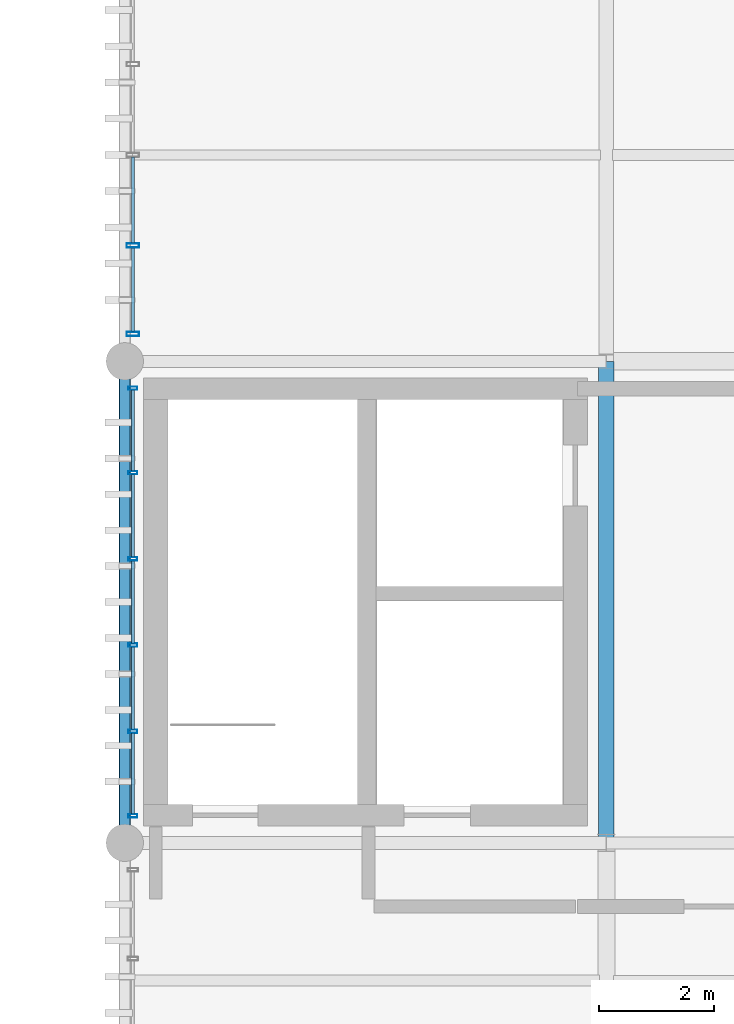
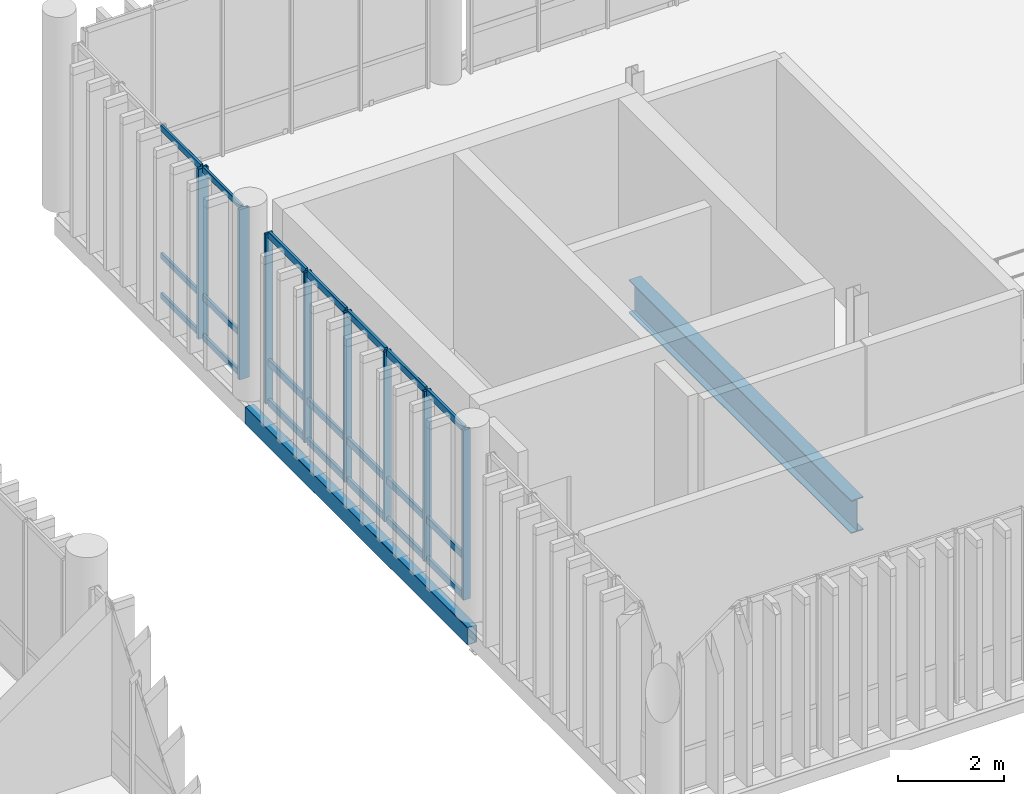
# One storey, part 20 of 66: 29 members, 2 beams, 2 elements without a shape of their own.
"""IFC4 building model written with IfcOpenShell, lengths in metres."""

from ifc_helpers import new_model, si_unit, direction, frame, origin_with_axes, origin_2d_with_axis, place, context, subcontext, project, spatial, hollow_rectangle, i_section, extrude, material, material_profile, profile_set, type_object, element, aggregate, save


model = new_model("IFC4")

# Units and contexts
model_context = context("Model", 3, precision=1e-05, world=origin_with_axes(), true_north=direction((0.0, 1.0)))
body_context = subcontext(model_context, "Body", "Model", "MODEL_VIEW")
ifc_project = project(units=[si_unit("LENGTHUNIT", "METRE"), si_unit("AREAUNIT", "SQUARE_METRE"), si_unit("VOLUMEUNIT", "CUBIC_METRE"), si_unit("PLANEANGLEUNIT", "RADIAN"), si_unit("MASSUNIT", "GRAM", prefix="KILO"), si_unit("THERMODYNAMICTEMPERATUREUNIT", "KELVIN")], contexts=[model_context])

# Site, building, storey
site_placement = place(None, origin_with_axes())
site = spatial("IfcSite", under=ifc_project, at=site_placement, CompositionType="ELEMENT")
building_placement = place(site_placement, origin_with_axes())
building = spatial("IfcBuilding", under=site, at=building_placement, Name="Montbau Bow Law Courts", CompositionType="ELEMENT")
storey_placement = place(building_placement, frame((0.0, 0.0, 34.5), z_axis=(0.0, 0.0, 1.0), x_axis=(1.0, 0.0, 0.0)))
storey = spatial("IfcBuildingStorey", under=building, at=storey_placement, Name="L07", CompositionType="ELEMENT", Elevation=34.5)

# Beams
ifc_material_1 = material(Name="Steel CSA G40.21 Grade 350W (350 MPa)", Category="steel")
ifc_material_profile_1 = material_profile(ifc_material_1, i_section(OverallWidth=0.267, OverallDepth=0.766, WebThickness=0.0149, FlangeThickness=0.0236, at=origin_2d_with_axis()), Name="W760X185", Category="Main", Priority=0)
ifc_profile_set_1 = profile_set([ifc_material_profile_1], Name="Steel CSA G40.21 Grade 350W (350 MPa)")
beam_type_1 = type_object("IfcBeamType", Name="B-FLR-03", PredefinedType="BEAM", material=ifc_profile_set_1)
beam_1_placement = place(None, frame((63.6, 46.2, 33.817), z_axis=(0.0, 1.0, 0.0), x_axis=(-1.0, 0.0, 0.0)))
element("IfcBeam", 1, at=beam_1_placement, inside=storey, type_object=beam_type_1, Name="BM-L07-S1046:bm2_1049", PredefinedType="BEAM", context=body_context, shape_type="SweptSolid", body=[
    extrude(i_section(OverallWidth=0.267, OverallDepth=0.766, WebThickness=0.0149, FlangeThickness=0.0236, at=origin_2d_with_axis()), origin_with_axes(), (0.0, 0.0, 1.0), 8.4),
])
ifc_material_2 = material(Name="Steel CSA G40.21 Grade 350WT (350 MPa)", Category="steel")
ifc_material_profile_2 = material_profile(ifc_material_2, hollow_rectangle(XDim=0.203, YDim=0.406, WallThickness=0.0127, InnerFilletRadius=0.0254, OuterFilletRadius=0.0127, at=origin_2d_with_axis()), Name="HSS406X203X13", Category="Main", Priority=0)
ifc_profile_set_2 = profile_set([ifc_material_profile_2], Name="Steel CSA G40.21 Grade 350WT (350 MPa)")
beam_type_2 = type_object("IfcBeamType", Name="B-SPN-01", PredefinedType="SPANDREL", material=ifc_profile_set_2)
beam_2_placement = place(None, frame((55.2, 46.2, 33.997), z_axis=(0.0, 1.0, 0.0), x_axis=(-1.0, 0.0, 0.0)))
element("IfcBeam", 2, at=beam_2_placement, inside=storey, type_object=beam_type_2, Name="SPN-L07-S1043:bm2_1046", PredefinedType="SPANDREL", context=body_context, shape_type="SweptSolid", body=[
    extrude(hollow_rectangle(XDim=0.203, YDim=0.406, WallThickness=0.0127, InnerFilletRadius=0.0254, OuterFilletRadius=0.0127, at=origin_2d_with_axis()), origin_with_axes(), (0.0, 0.0, 1.0), 8.4),
])

# Curtain wall, members
ifc_material_3 = material(Name="Thermally Broken Extruded Aluminium AA 6063-T6", Category="aluminium")
curtain_wall_type = type_object("IfcCurtainWallType", Name="CW-CRM-02", PredefinedType="NOTDEFINED", material=ifc_material_3)
curtain_wall_1_placement = place(None, frame((55.34, 55.04, 34.5), z_axis=(0.0, 0.0, 1.0), x_axis=(1.0, 0.0, 0.0)))
curtain_wall_1 = element("IfcCurtainWall", 3, at=curtain_wall_1_placement, inside=storey, type_object=curtain_wall_type, Name="CW-L07-255:cw_0255", PredefinedType="NOTDEFINED")
ifc_material_profile_3 = material_profile(ifc_material_3, hollow_rectangle(XDim=0.075, YDim=0.22, WallThickness=0.005, InnerFilletRadius=0.01, OuterFilletRadius=0.005, at=origin_2d_with_axis()), Name="CWM-220X75", Category="Main", Priority=0)
ifc_profile_set_3 = profile_set([ifc_material_profile_3], Name="Thermally Broken Extruded Aluminium AA 6063-T6")
member_type_1 = type_object("IfcMemberType", Name="M-MUL-01", PredefinedType="MULLION", material=ifc_profile_set_3)
member_1_placement = place(None, frame((55.34, 55.077, 34.5), z_axis=(0.0, 0.0, 1.0), x_axis=(0.0, 1.0, 0.0)))
member_1 = element("IfcMember", 4, at=member_1_placement, type_object=member_type_1, Name="CW-L07-255-M01:cw_0255_M01", PredefinedType="MULLION", context=body_context, shape_type="SweptSolid", body=[
    extrude(hollow_rectangle(XDim=0.075, YDim=0.22, WallThickness=0.005, InnerFilletRadius=0.01, OuterFilletRadius=0.005, at=origin_2d_with_axis()), origin_with_axes(), (0.0, 0.0, 1.0), 3.92),
])
member_2_placement = place(None, frame((55.34, 56.62, 34.5), z_axis=(0.0, 0.0, 1.0), x_axis=(0.0, 1.0, 0.0)))
member_2 = element("IfcMember", 5, at=member_2_placement, type_object=member_type_1, Name="CW-L07-255-M02:cw_0255_M02", PredefinedType="MULLION", context=body_context, shape_type="SweptSolid", body=[
    extrude(hollow_rectangle(XDim=0.075, YDim=0.22, WallThickness=0.005, InnerFilletRadius=0.01, OuterFilletRadius=0.005, at=origin_2d_with_axis()), origin_with_axes(), (0.0, 0.0, 1.0), 3.92),
])

curtain_wall_2_placement = place(None, frame((55.34, 46.64, 34.5), z_axis=(0.0, 0.0, 1.0), x_axis=(1.0, 0.0, 0.0)))
curtain_wall_2 = element("IfcCurtainWall", 6, at=curtain_wall_2_placement, inside=storey, type_object=curtain_wall_type, Name="CW-L07-254:cw_0254", PredefinedType="NOTDEFINED")
ifc_material_profile_4 = material_profile(ifc_material_3, hollow_rectangle(XDim=0.06, YDim=0.16, WallThickness=0.004, InnerFilletRadius=0.008, OuterFilletRadius=0.004, at=origin_2d_with_axis()), Name="CWM-160X60", Category="Main", Priority=0)
ifc_profile_set_4 = profile_set([ifc_material_profile_4], Name="Thermally Broken Extruded Aluminium AA 6063-T6")
member_type_2 = type_object("IfcMemberType", Name="M-MUL-03", PredefinedType="MULLION", material=ifc_profile_set_4)
member_3_placement = place(None, frame((55.34, 46.67, 34.5), z_axis=(0.0, 0.0, 1.0), x_axis=(0.0, 1.0, 0.0)))
member_3 = element("IfcMember", 7, at=member_3_placement, type_object=member_type_2, Name="CW-L07-254-M01:cw_0254_M01", PredefinedType="MULLION", context=body_context, shape_type="SweptSolid", body=[
    extrude(hollow_rectangle(XDim=0.06, YDim=0.16, WallThickness=0.004, InnerFilletRadius=0.008, OuterFilletRadius=0.004, at=origin_2d_with_axis()), origin_with_axes(), (0.0, 0.0, 1.0), 3.92),
])
member_4_placement = place(None, frame((55.34, 48.144, 34.5), z_axis=(0.0, 0.0, 1.0), x_axis=(0.0, 1.0, 0.0)))
member_4 = element("IfcMember", 8, at=member_4_placement, type_object=member_type_2, Name="CW-L07-254-M02:cw_0254_M02", PredefinedType="MULLION", context=body_context, shape_type="SweptSolid", body=[
    extrude(hollow_rectangle(XDim=0.06, YDim=0.16, WallThickness=0.004, InnerFilletRadius=0.008, OuterFilletRadius=0.004, at=origin_2d_with_axis()), origin_with_axes(), (0.0, 0.0, 1.0), 3.92),
])
member_5_placement = place(None, frame((55.34, 49.648, 34.5), z_axis=(0.0, 0.0, 1.0), x_axis=(0.0, 1.0, 0.0)))
member_5 = element("IfcMember", 9, at=member_5_placement, type_object=member_type_2, Name="CW-L07-254-M03:cw_0254_M03", PredefinedType="MULLION", context=body_context, shape_type="SweptSolid", body=[
    extrude(hollow_rectangle(XDim=0.06, YDim=0.16, WallThickness=0.004, InnerFilletRadius=0.008, OuterFilletRadius=0.004, at=origin_2d_with_axis()), origin_with_axes(), (0.0, 0.0, 1.0), 3.92),
])
member_6_placement = place(None, frame((55.34, 51.152, 34.5), z_axis=(0.0, 0.0, 1.0), x_axis=(0.0, 1.0, 0.0)))
member_6 = element("IfcMember", 10, at=member_6_placement, type_object=member_type_2, Name="CW-L07-254-M04:cw_0254_M04", PredefinedType="MULLION", context=body_context, shape_type="SweptSolid", body=[
    extrude(hollow_rectangle(XDim=0.06, YDim=0.16, WallThickness=0.004, InnerFilletRadius=0.008, OuterFilletRadius=0.004, at=origin_2d_with_axis()), origin_with_axes(), (0.0, 0.0, 1.0), 3.92),
])
member_7_placement = place(None, frame((55.34, 52.656, 34.5), z_axis=(0.0, 0.0, 1.0), x_axis=(0.0, 1.0, 0.0)))
member_7 = element("IfcMember", 11, at=member_7_placement, type_object=member_type_2, Name="CW-L07-254-M05:cw_0254_M05", PredefinedType="MULLION", context=body_context, shape_type="SweptSolid", body=[
    extrude(hollow_rectangle(XDim=0.06, YDim=0.16, WallThickness=0.004, InnerFilletRadius=0.008, OuterFilletRadius=0.004, at=origin_2d_with_axis()), origin_with_axes(), (0.0, 0.0, 1.0), 3.92),
])
member_8_placement = place(None, frame((55.34, 54.13, 34.5), z_axis=(0.0, 0.0, 1.0), x_axis=(0.0, 1.0, 0.0)))
member_8 = element("IfcMember", 12, at=member_8_placement, type_object=member_type_2, Name="CW-L07-254-M06:cw_0254_M06", PredefinedType="MULLION", context=body_context, shape_type="SweptSolid", body=[
    extrude(hollow_rectangle(XDim=0.06, YDim=0.16, WallThickness=0.004, InnerFilletRadius=0.008, OuterFilletRadius=0.004, at=origin_2d_with_axis()), origin_with_axes(), (0.0, 0.0, 1.0), 3.92),
])
ifc_material_profile_5 = material_profile(ifc_material_3, hollow_rectangle(XDim=0.06, YDim=0.16, WallThickness=0.004, InnerFilletRadius=0.008, OuterFilletRadius=0.004, at=origin_2d_with_axis()), Name="CWT-160X60", Category="Main", Priority=0)
ifc_profile_set_5 = profile_set([ifc_material_profile_5], Name="Thermally Broken Extruded Aluminium AA 6063-T6")
member_type_3 = type_object("IfcMemberType", Name="M-TRN-01", PredefinedType="USERDEFINED", material=ifc_profile_set_5)
member_9_placement = place(None, frame((55.34, 46.702, 34.53), z_axis=(0.0, 1.0, 0.0), x_axis=(-1.0, 0.0, 0.0)))
member_9 = element("IfcMember", 13, at=member_9_placement, type_object=member_type_3, Name="CW-L07-254-T01-1:cw_0254_T01_1", ObjectType="TRANSOM", PredefinedType="USERDEFINED", context=body_context, shape_type="SweptSolid", body=[
    extrude(hollow_rectangle(XDim=0.06, YDim=0.16, WallThickness=0.004, InnerFilletRadius=0.008, OuterFilletRadius=0.004, at=origin_2d_with_axis()), origin_with_axes(), (0.0, 0.0, 1.0), 1.41),
])
member_10_placement = place(None, frame((55.34, 46.702, 35.45), z_axis=(0.0, 1.0, 0.0), x_axis=(-1.0, 0.0, 0.0)))
member_10 = element("IfcMember", 14, at=member_10_placement, type_object=member_type_3, Name="CW-L07-254-T01-2:cw_0254_T01_2", ObjectType="TRANSOM", PredefinedType="USERDEFINED", context=body_context, shape_type="SweptSolid", body=[
    extrude(hollow_rectangle(XDim=0.06, YDim=0.16, WallThickness=0.004, InnerFilletRadius=0.008, OuterFilletRadius=0.004, at=origin_2d_with_axis()), origin_with_axes(), (0.0, 0.0, 1.0), 1.41),
])
member_11_placement = place(None, frame((55.34, 46.702, 38.39), z_axis=(0.0, 1.0, 0.0), x_axis=(-1.0, 0.0, 0.0)))
member_11 = element("IfcMember", 15, at=member_11_placement, type_object=member_type_3, Name="CW-L07-254-T01-3:cw_0254_T01_3", ObjectType="TRANSOM", PredefinedType="USERDEFINED", context=body_context, shape_type="SweptSolid", body=[
    extrude(hollow_rectangle(XDim=0.06, YDim=0.16, WallThickness=0.004, InnerFilletRadius=0.008, OuterFilletRadius=0.004, at=origin_2d_with_axis()), origin_with_axes(), (0.0, 0.0, 1.0), 1.41),
])
member_12_placement = place(None, frame((55.34, 48.176, 34.53), z_axis=(0.0, 1.0, 0.0), x_axis=(-1.0, 0.0, 0.0)))
member_12 = element("IfcMember", 16, at=member_12_placement, type_object=member_type_3, Name="CW-L07-254-T02-1:cw_0254_T02_1", ObjectType="TRANSOM", PredefinedType="USERDEFINED", context=body_context, shape_type="SweptSolid", body=[
    extrude(hollow_rectangle(XDim=0.06, YDim=0.16, WallThickness=0.004, InnerFilletRadius=0.008, OuterFilletRadius=0.004, at=origin_2d_with_axis()), origin_with_axes(), (0.0, 0.0, 1.0), 1.44),
])
member_13_placement = place(None, frame((55.34, 48.176, 35.45), z_axis=(0.0, 1.0, 0.0), x_axis=(-1.0, 0.0, 0.0)))
member_13 = element("IfcMember", 17, at=member_13_placement, type_object=member_type_3, Name="CW-L07-254-T02-2:cw_0254_T02_2", ObjectType="TRANSOM", PredefinedType="USERDEFINED", context=body_context, shape_type="SweptSolid", body=[
    extrude(hollow_rectangle(XDim=0.06, YDim=0.16, WallThickness=0.004, InnerFilletRadius=0.008, OuterFilletRadius=0.004, at=origin_2d_with_axis()), origin_with_axes(), (0.0, 0.0, 1.0), 1.44),
])
member_14_placement = place(None, frame((55.34, 48.176, 38.39), z_axis=(0.0, 1.0, 0.0), x_axis=(-1.0, 0.0, 0.0)))
member_14 = element("IfcMember", 18, at=member_14_placement, type_object=member_type_3, Name="CW-L07-254-T02-3:cw_0254_T02_3", ObjectType="TRANSOM", PredefinedType="USERDEFINED", context=body_context, shape_type="SweptSolid", body=[
    extrude(hollow_rectangle(XDim=0.06, YDim=0.16, WallThickness=0.004, InnerFilletRadius=0.008, OuterFilletRadius=0.004, at=origin_2d_with_axis()), origin_with_axes(), (0.0, 0.0, 1.0), 1.44),
])
member_15_placement = place(None, frame((55.34, 49.68, 34.53), z_axis=(0.0, 1.0, 0.0), x_axis=(-1.0, 0.0, 0.0)))
member_15 = element("IfcMember", 19, at=member_15_placement, type_object=member_type_3, Name="CW-L07-254-T03-1:cw_0254_T03_1", ObjectType="TRANSOM", PredefinedType="USERDEFINED", context=body_context, shape_type="SweptSolid", body=[
    extrude(hollow_rectangle(XDim=0.06, YDim=0.16, WallThickness=0.004, InnerFilletRadius=0.008, OuterFilletRadius=0.004, at=origin_2d_with_axis()), origin_with_axes(), (0.0, 0.0, 1.0), 1.44),
])
member_16_placement = place(None, frame((55.34, 49.68, 35.45), z_axis=(0.0, 1.0, 0.0), x_axis=(-1.0, 0.0, 0.0)))
member_16 = element("IfcMember", 20, at=member_16_placement, type_object=member_type_3, Name="CW-L07-254-T03-2:cw_0254_T03_2", ObjectType="TRANSOM", PredefinedType="USERDEFINED", context=body_context, shape_type="SweptSolid", body=[
    extrude(hollow_rectangle(XDim=0.06, YDim=0.16, WallThickness=0.004, InnerFilletRadius=0.008, OuterFilletRadius=0.004, at=origin_2d_with_axis()), origin_with_axes(), (0.0, 0.0, 1.0), 1.44),
])
member_17_placement = place(None, frame((55.34, 49.68, 38.39), z_axis=(0.0, 1.0, 0.0), x_axis=(-1.0, 0.0, 0.0)))
member_17 = element("IfcMember", 21, at=member_17_placement, type_object=member_type_3, Name="CW-L07-254-T03-3:cw_0254_T03_3", ObjectType="TRANSOM", PredefinedType="USERDEFINED", context=body_context, shape_type="SweptSolid", body=[
    extrude(hollow_rectangle(XDim=0.06, YDim=0.16, WallThickness=0.004, InnerFilletRadius=0.008, OuterFilletRadius=0.004, at=origin_2d_with_axis()), origin_with_axes(), (0.0, 0.0, 1.0), 1.44),
])
member_18_placement = place(None, frame((55.34, 51.184, 34.53), z_axis=(0.0, 1.0, 0.0), x_axis=(-1.0, 0.0, 0.0)))
member_18 = element("IfcMember", 22, at=member_18_placement, type_object=member_type_3, Name="CW-L07-254-T04-1:cw_0254_T04_1", ObjectType="TRANSOM", PredefinedType="USERDEFINED", context=body_context, shape_type="SweptSolid", body=[
    extrude(hollow_rectangle(XDim=0.06, YDim=0.16, WallThickness=0.004, InnerFilletRadius=0.008, OuterFilletRadius=0.004, at=origin_2d_with_axis()), origin_with_axes(), (0.0, 0.0, 1.0), 1.44),
])
member_19_placement = place(None, frame((55.34, 51.184, 35.45), z_axis=(0.0, 1.0, 0.0), x_axis=(-1.0, 0.0, 0.0)))
member_19 = element("IfcMember", 23, at=member_19_placement, type_object=member_type_3, Name="CW-L07-254-T04-2:cw_0254_T04_2", ObjectType="TRANSOM", PredefinedType="USERDEFINED", context=body_context, shape_type="SweptSolid", body=[
    extrude(hollow_rectangle(XDim=0.06, YDim=0.16, WallThickness=0.004, InnerFilletRadius=0.008, OuterFilletRadius=0.004, at=origin_2d_with_axis()), origin_with_axes(), (0.0, 0.0, 1.0), 1.44),
])
member_20_placement = place(None, frame((55.34, 51.184, 38.39), z_axis=(0.0, 1.0, 0.0), x_axis=(-1.0, 0.0, 0.0)))
member_20 = element("IfcMember", 24, at=member_20_placement, type_object=member_type_3, Name="CW-L07-254-T04-3:cw_0254_T04_3", ObjectType="TRANSOM", PredefinedType="USERDEFINED", context=body_context, shape_type="SweptSolid", body=[
    extrude(hollow_rectangle(XDim=0.06, YDim=0.16, WallThickness=0.004, InnerFilletRadius=0.008, OuterFilletRadius=0.004, at=origin_2d_with_axis()), origin_with_axes(), (0.0, 0.0, 1.0), 1.44),
])
member_21_placement = place(None, frame((55.34, 52.688, 34.53), z_axis=(0.0, 1.0, 0.0), x_axis=(-1.0, 0.0, 0.0)))
member_21 = element("IfcMember", 25, at=member_21_placement, type_object=member_type_3, Name="CW-L07-254-T05-1:cw_0254_T05_1", ObjectType="TRANSOM", PredefinedType="USERDEFINED", context=body_context, shape_type="SweptSolid", body=[
    extrude(hollow_rectangle(XDim=0.06, YDim=0.16, WallThickness=0.004, InnerFilletRadius=0.008, OuterFilletRadius=0.004, at=origin_2d_with_axis()), origin_with_axes(), (0.0, 0.0, 1.0), 1.41),
])
member_22_placement = place(None, frame((55.34, 52.688, 35.45), z_axis=(0.0, 1.0, 0.0), x_axis=(-1.0, 0.0, 0.0)))
member_22 = element("IfcMember", 26, at=member_22_placement, type_object=member_type_3, Name="CW-L07-254-T05-2:cw_0254_T05_2", ObjectType="TRANSOM", PredefinedType="USERDEFINED", context=body_context, shape_type="SweptSolid", body=[
    extrude(hollow_rectangle(XDim=0.06, YDim=0.16, WallThickness=0.004, InnerFilletRadius=0.008, OuterFilletRadius=0.004, at=origin_2d_with_axis()), origin_with_axes(), (0.0, 0.0, 1.0), 1.41),
])
member_23_placement = place(None, frame((55.34, 52.688, 38.39), z_axis=(0.0, 1.0, 0.0), x_axis=(-1.0, 0.0, 0.0)))
member_23 = element("IfcMember", 27, at=member_23_placement, type_object=member_type_3, Name="CW-L07-254-T05-3:cw_0254_T05_3", ObjectType="TRANSOM", PredefinedType="USERDEFINED", context=body_context, shape_type="SweptSolid", body=[
    extrude(hollow_rectangle(XDim=0.06, YDim=0.16, WallThickness=0.004, InnerFilletRadius=0.008, OuterFilletRadius=0.004, at=origin_2d_with_axis()), origin_with_axes(), (0.0, 0.0, 1.0), 1.41),
])
aggregate(curtain_wall_2, [member_3, member_4, member_5, member_6, member_7, member_8, member_9, member_10, member_11, member_12, member_13, member_14, member_15, member_16, member_17, member_18, member_19, member_20, member_21, member_22, member_23])

# Member
ifc_material_profile_6 = material_profile(ifc_material_3, hollow_rectangle(XDim=0.055, YDim=0.14, WallThickness=0.004, InnerFilletRadius=0.008, OuterFilletRadius=0.004, at=origin_2d_with_axis()), Name="CWT-140X55", Category="Main", Priority=0)
ifc_profile_set_6 = profile_set([ifc_material_profile_6], Name="Thermally Broken Extruded Aluminium AA 6063-T6")
member_type_4 = type_object("IfcMemberType", Name="M-TRN-02", PredefinedType="USERDEFINED", material=ifc_profile_set_6)
member_24_placement = place(None, frame((55.34, 55.116, 34.528), z_axis=(0.0, 1.0, 0.0), x_axis=(-1.0, 0.0, 0.0)))
member_24 = element("IfcMember", 28, at=member_24_placement, type_object=member_type_4, Name="CW-L07-255-T01-1:cw_0255_T01_1", ObjectType="TRANSOM", PredefinedType="USERDEFINED", context=body_context, shape_type="SweptSolid", body=[
    extrude(hollow_rectangle(XDim=0.055, YDim=0.14, WallThickness=0.004, InnerFilletRadius=0.008, OuterFilletRadius=0.004, at=origin_2d_with_axis()), origin_with_axes(), (0.0, 0.0, 1.0), 1.464),
])

member_25_placement = place(None, frame((55.34, 55.116, 35.45), z_axis=(0.0, 1.0, 0.0), x_axis=(-1.0, 0.0, 0.0)))
member_25 = element("IfcMember", 29, at=member_25_placement, type_object=member_type_4, Name="CW-L07-255-T01-2:cw_0255_T01_2", ObjectType="TRANSOM", PredefinedType="USERDEFINED", context=body_context, shape_type="SweptSolid", body=[
    extrude(hollow_rectangle(XDim=0.055, YDim=0.14, WallThickness=0.004, InnerFilletRadius=0.008, OuterFilletRadius=0.004, at=origin_2d_with_axis()), origin_with_axes(), (0.0, 0.0, 1.0), 1.464),
])

member_26_placement = place(None, frame((55.34, 55.116, 38.392), z_axis=(0.0, 1.0, 0.0), x_axis=(-1.0, 0.0, 0.0)))
member_26 = element("IfcMember", 30, at=member_26_placement, type_object=member_type_4, Name="CW-L07-255-T01-3:cw_0255_T01_3", ObjectType="TRANSOM", PredefinedType="USERDEFINED", context=body_context, shape_type="SweptSolid", body=[
    extrude(hollow_rectangle(XDim=0.055, YDim=0.14, WallThickness=0.004, InnerFilletRadius=0.008, OuterFilletRadius=0.004, at=origin_2d_with_axis()), origin_with_axes(), (0.0, 0.0, 1.0), 1.464),
])

member_27_placement = place(None, frame((55.34, 56.66, 34.528), z_axis=(0.0, 1.0, 0.0), x_axis=(-1.0, 0.0, 0.0)))
member_27 = element("IfcMember", 31, at=member_27_placement, type_object=member_type_4, Name="CW-L07-255-T02-1:cw_0255_T02_1", ObjectType="TRANSOM", PredefinedType="USERDEFINED", context=body_context, shape_type="SweptSolid", body=[
    extrude(hollow_rectangle(XDim=0.055, YDim=0.14, WallThickness=0.004, InnerFilletRadius=0.008, OuterFilletRadius=0.004, at=origin_2d_with_axis()), origin_with_axes(), (0.0, 0.0, 1.0), 1.501),
])

member_28_placement = place(None, frame((55.34, 56.66, 35.45), z_axis=(0.0, 1.0, 0.0), x_axis=(-1.0, 0.0, 0.0)))
member_28 = element("IfcMember", 32, at=member_28_placement, type_object=member_type_4, Name="CW-L07-255-T02-2:cw_0255_T02_2", ObjectType="TRANSOM", PredefinedType="USERDEFINED", context=body_context, shape_type="SweptSolid", body=[
    extrude(hollow_rectangle(XDim=0.055, YDim=0.14, WallThickness=0.004, InnerFilletRadius=0.008, OuterFilletRadius=0.004, at=origin_2d_with_axis()), origin_with_axes(), (0.0, 0.0, 1.0), 1.501),
])

member_29_placement = place(None, frame((55.34, 56.66, 38.392), z_axis=(0.0, 1.0, 0.0), x_axis=(-1.0, 0.0, 0.0)))
member_29 = element("IfcMember", 33, at=member_29_placement, type_object=member_type_4, Name="CW-L07-255-T02-3:cw_0255_T02_3", ObjectType="TRANSOM", PredefinedType="USERDEFINED", context=body_context, shape_type="SweptSolid", body=[
    extrude(hollow_rectangle(XDim=0.055, YDim=0.14, WallThickness=0.004, InnerFilletRadius=0.008, OuterFilletRadius=0.004, at=origin_2d_with_axis()), origin_with_axes(), (0.0, 0.0, 1.0), 1.501),
])

aggregate(curtain_wall_1, [member_1, member_2, member_24, member_25, member_26, member_27, member_28, member_29])

save(model, "model.ifc")
